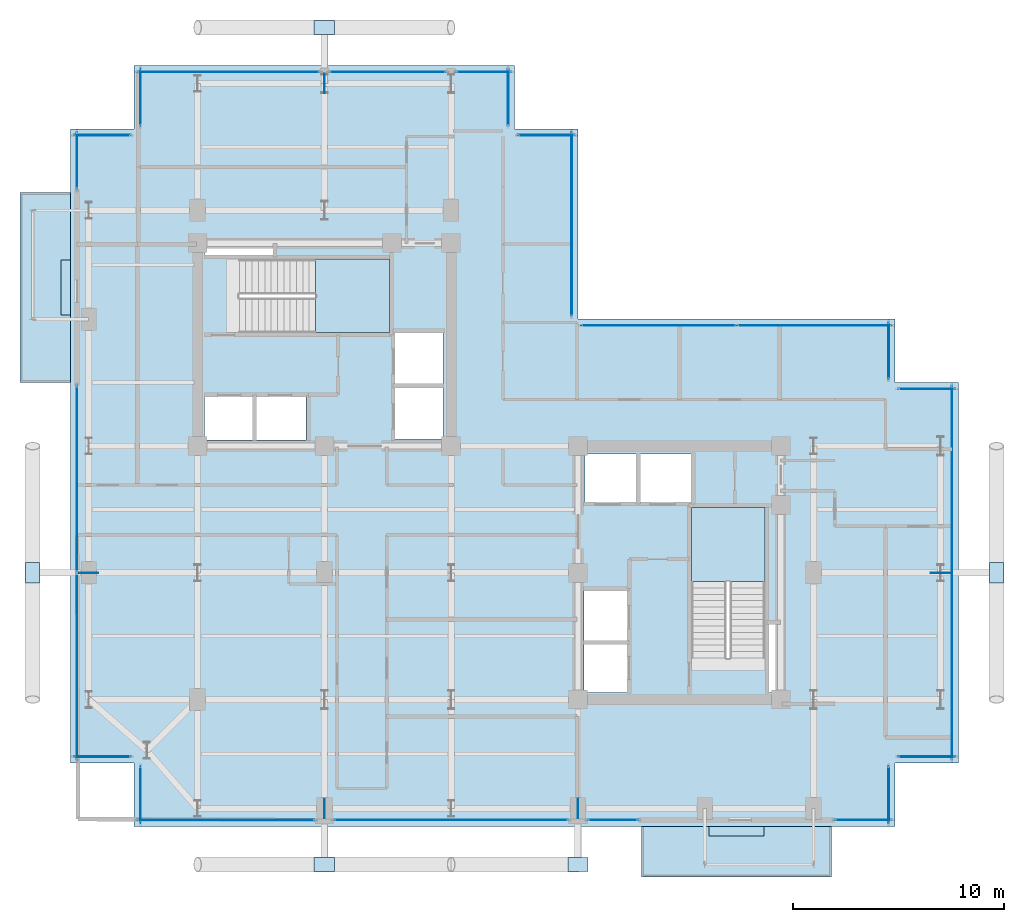
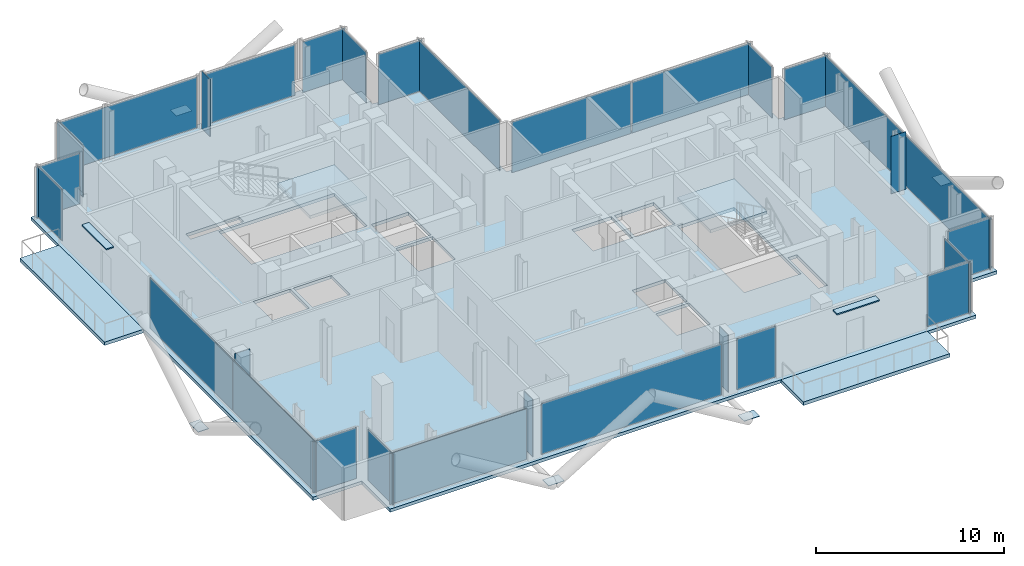
# One storey, part 16 of 25: 36 plates, 5 slabs, 24 elements without a shape of their own.
"""IFC4 building model written with IfcOpenShell, lengths in metres."""

from ifc_helpers import new_model, si_unit, direction, frame, origin, origin_2d, place, context, subcontext, project, spatial, polyline, rectangle, outline, extrude, material, layer, layer_set, type_object, element, aggregate, save


model = new_model("IFC4")

# Units and contexts
model_context = context("Model", 3, precision=1e-05, world=origin(), true_north=direction((0.0, 1.0)))
body_context = subcontext(model_context, "Body", "Model", "MODEL_VIEW")
ifc_project = project(units=[si_unit("LENGTHUNIT", "METRE"), si_unit("AREAUNIT", "SQUARE_METRE"), si_unit("VOLUMEUNIT", "CUBIC_METRE"), si_unit("PLANEANGLEUNIT", "RADIAN"), si_unit("MASSUNIT", "GRAM", prefix="KILO"), si_unit("THERMODYNAMICTEMPERATUREUNIT", "KELVIN"), si_unit("POWERUNIT", "WATT")], contexts=[model_context])

# Site, building, storey
site_placement = place(None, origin())
site = spatial("IfcSite", under=ifc_project, at=site_placement, CompositionType="ELEMENT")
building_placement = place(site_placement, origin())
building = spatial("IfcBuilding", under=site, at=building_placement, Name="Svarakhadi Broadcast Tower", CompositionType="ELEMENT")
storey_placement = place(building_placement, frame((0.0, 0.0, 231.14990234375)))
storey = spatial("IfcBuildingStorey", under=building, at=storey_placement, Name="L57", CompositionType="ELEMENT", Elevation=231.14990234375)

# Curtain wall, plate
ifc_material_1 = material(Name="Anodised Bronze Aluminium AA 6063-T6", Category="aluminium")
ifc_layer_1 = layer(ifc_material_1, 0.18994140625)
ifc_layer_set_1 = layer_set([ifc_layer_1], Name="Anodised Bronze Aluminium AA 6063-T6")
curtain_wall_type = type_object("IfcCurtainWallType", Name="CW_Sys_04", PredefinedType="NOTDEFINED", material=ifc_layer_set_1)
curtain_wall_1_placement = place(storey_placement, origin())
curtain_wall_1 = element("IfcCurtainWall", 1, at=curtain_wall_1_placement, inside=storey, type_object=curtain_wall_type, Name="L57 Unitised Facade Curtain Wall 01", PredefinedType="NOTDEFINED")
ifc_material_2 = material(Name="Double Low-E Laminated Acoustic Glass IGU 36 mm", Category="glass")
ifc_layer_2 = layer(ifc_material_2, 0.033935546875)
ifc_layer_set_2 = layer_set([ifc_layer_2], Name="Double Low-E Laminated Acoustic Glass IGU 36 mm")
plate_type_1 = type_object("IfcPlateType", Name="CW_Sys_04_Pnl", PredefinedType="CURTAIN_PANEL", material=ifc_layer_set_2)
plate_1_placement = place(storey_placement, frame((1.5, 3.300048828125, 0.065185546875), z_axis=(0.0, 0.0, 1.0), x_axis=(-1.0, 0.0, 0.0)))
plate_1 = element("IfcPlate", 2, at=plate_1_placement, type_object=plate_type_1, Name="CW-04 panel 1.1", PredefinedType="CURTAIN_PANEL", context=body_context, shape_type="SweptSolid", body=[
    extrude(rectangle(XDim=2.679931640625, YDim=0.033935546875, at=origin_2d()), origin(), (0.0, 0.0, 1.0), 3.294921875),
])
aggregate(curtain_wall_1, [plate_1])

# Curtain wall, plates
curtain_wall_2_placement = place(storey_placement, origin())
curtain_wall_2 = element("IfcCurtainWall", 3, at=curtain_wall_2_placement, inside=storey, type_object=curtain_wall_type, Name="L57 West Curtain Wall 02", PredefinedType="NOTDEFINED")
plate_2_placement = place(storey_placement, frame((0.300048828125, 7.5625, 0.065185546875), z_axis=(0.0, 0.0, 1.0), x_axis=(0.0, 1.0, 0.0)))
plate_2 = element("IfcPlate", 4, at=plate_2_placement, type_object=plate_type_1, Name="CW-04 panel 1.1", PredefinedType="CURTAIN_PANEL", context=body_context, shape_type="SweptSolid", body=[
    extrude(rectangle(XDim=8.804931640625, YDim=0.033935546875, at=origin_2d()), origin(), (0.0, 0.0, 1.0), 3.294921875),
])
plate_3_placement = place(storey_placement, frame((0.300048828125, 16.4375, 0.065185546875), z_axis=(0.0, 0.0, 1.0), x_axis=(0.0, 1.0, 0.0)))
plate_3 = element("IfcPlate", 5, at=plate_3_placement, type_object=plate_type_1, Name="CW-04 panel 2.1", PredefinedType="CURTAIN_PANEL", context=body_context, shape_type="SweptSolid", body=[
    extrude(rectangle(XDim=8.804931640625, YDim=0.033935546875, at=origin_2d()), origin(), (0.0, 0.0, 1.0), 3.294921875),
])
aggregate(curtain_wall_2, [plate_2, plate_3])

# Curtain wall, plate
curtain_wall_3_placement = place(storey_placement, origin())
curtain_wall_3 = element("IfcCurtainWall", 6, at=curtain_wall_3_placement, inside=storey, type_object=curtain_wall_type, Name="L57 West Curtain Wall 03", PredefinedType="NOTDEFINED")
plate_4_placement = place(storey_placement, frame((0.300048828125, 31.5, 0.065185546875), z_axis=(0.0, 0.0, 1.0), x_axis=(0.0, 1.0, 0.0)))
plate_4 = element("IfcPlate", 7, at=plate_4_placement, type_object=plate_type_1, Name="CW-04 panel 1.1", PredefinedType="CURTAIN_PANEL", context=body_context, shape_type="SweptSolid", body=[
    extrude(rectangle(XDim=2.679931640625, YDim=0.033935546875, at=origin_2d()), origin(), (0.0, 0.0, 1.0), 3.294921875),
])
aggregate(curtain_wall_3, [plate_4])

curtain_wall_4_placement = place(storey_placement, origin())
curtain_wall_4 = element("IfcCurtainWall", 8, at=curtain_wall_4_placement, inside=storey, type_object=curtain_wall_type, Name="L57 Unitised Facade Curtain Wall 04", PredefinedType="NOTDEFINED")
plate_5_placement = place(storey_placement, frame((1.5, 32.699951171875, 0.065185546875), z_axis=(0.0, 0.0, 1.0), x_axis=(1.0, 0.0, 0.0)))
plate_5 = element("IfcPlate", 9, at=plate_5_placement, type_object=plate_type_1, Name="CW-04 panel 1.1", PredefinedType="CURTAIN_PANEL", context=body_context, shape_type="SweptSolid", body=[
    extrude(rectangle(XDim=2.679931640625, YDim=0.033935546875, at=origin_2d()), origin(), (0.0, 0.0, 1.0), 3.294921875),
])
aggregate(curtain_wall_4, [plate_5])

curtain_wall_5_placement = place(storey_placement, origin())
curtain_wall_5 = element("IfcCurtainWall", 10, at=curtain_wall_5_placement, inside=storey, type_object=curtain_wall_type, Name="L57 Unitised Facade Curtain Wall 05", PredefinedType="NOTDEFINED")
plate_6_placement = place(storey_placement, frame((3.300048828125, 34.5, 0.065185546875), z_axis=(0.0, 0.0, 1.0), x_axis=(0.0, 1.0, 0.0)))
plate_6 = element("IfcPlate", 11, at=plate_6_placement, type_object=plate_type_1, Name="CW-04 panel 1.1", PredefinedType="CURTAIN_PANEL", context=body_context, shape_type="SweptSolid", body=[
    extrude(rectangle(XDim=2.679931640625, YDim=0.033935546875, at=origin_2d()), origin(), (0.0, 0.0, 1.0), 3.294921875),
])
aggregate(curtain_wall_5, [plate_6])

curtain_wall_6_placement = place(storey_placement, origin())
curtain_wall_6 = element("IfcCurtainWall", 12, at=curtain_wall_6_placement, inside=storey, type_object=curtain_wall_type, Name="L57 Unitised Facade Curtain Wall 06 Bay 1", PredefinedType="NOTDEFINED")
plate_7_placement = place(storey_placement, frame((7.4599609375, 35.699951171875, 0.065185546875), z_axis=(0.0, 0.0, 1.0), x_axis=(1.0, 0.0, 0.0)))
plate_7 = element("IfcPlate", 13, at=plate_7_placement, type_object=plate_type_1, Name="CW-04 panel 1.1", PredefinedType="CURTAIN_PANEL", context=body_context, shape_type="SweptSolid", body=[
    extrude(rectangle(XDim=8.60009765625, YDim=0.033935546875, at=origin_2d()), origin(), (0.0, 0.0, 1.0), 3.294921875),
])
aggregate(curtain_wall_6, [plate_7])

curtain_wall_7_placement = place(storey_placement, origin())
curtain_wall_7 = element("IfcCurtainWall", 14, at=curtain_wall_7_placement, inside=storey, type_object=curtain_wall_type, Name="L57 Unitised Facade Curtain Wall 06 Bay 2", PredefinedType="NOTDEFINED")
plate_8_placement = place(storey_placement, frame((15.0, 35.699951171875, 0.065185546875), z_axis=(0.0, 0.0, 1.0), x_axis=(1.0, 0.0, 0.0)))
plate_8 = element("IfcPlate", 15, at=plate_8_placement, type_object=plate_type_1, Name="CW-04 panel 1.1", PredefinedType="CURTAIN_PANEL", context=body_context, shape_type="SweptSolid", body=[
    extrude(rectangle(XDim=5.52001953125, YDim=0.033935546875, at=origin_2d()), origin(), (0.0, 0.0, 1.0), 3.294921875),
])
aggregate(curtain_wall_7, [plate_8])

curtain_wall_8_placement = place(storey_placement, origin())
curtain_wall_8 = element("IfcCurtainWall", 16, at=curtain_wall_8_placement, inside=storey, type_object=curtain_wall_type, Name="L57 Unitised Facade Curtain Wall 06 Bay 3", PredefinedType="NOTDEFINED")
plate_9_placement = place(storey_placement, frame((19.5400390625, 35.699951171875, 0.065185546875), z_axis=(0.0, 0.0, 1.0), x_axis=(1.0, 0.0, 0.0)))
plate_9 = element("IfcPlate", 17, at=plate_9_placement, type_object=plate_type_1, Name="CW-04 panel 1.1", PredefinedType="CURTAIN_PANEL", context=body_context, shape_type="SweptSolid", body=[
    extrude(rectangle(XDim=2.60009765625, YDim=0.033935546875, at=origin_2d()), origin(), (0.0, 0.0, 1.0), 3.294921875),
])
aggregate(curtain_wall_8, [plate_9])

curtain_wall_9_placement = place(storey_placement, origin())
curtain_wall_9 = element("IfcCurtainWall", 18, at=curtain_wall_9_placement, inside=storey, type_object=curtain_wall_type, Name="L57 Unitised Facade Curtain Wall 07", PredefinedType="NOTDEFINED")
plate_10_placement = place(storey_placement, frame((20.699951171875, 34.5, 0.065185546875), z_axis=(0.0, 0.0, 1.0), x_axis=(0.0, -1.0, 0.0)))
plate_10 = element("IfcPlate", 19, at=plate_10_placement, type_object=plate_type_1, Name="CW-04 panel 1.1", PredefinedType="CURTAIN_PANEL", context=body_context, shape_type="SweptSolid", body=[
    extrude(rectangle(XDim=2.679931640625, YDim=0.033935546875, at=origin_2d()), origin(), (0.0, 0.0, 1.0), 3.294921875),
])
aggregate(curtain_wall_9, [plate_10])

curtain_wall_10_placement = place(storey_placement, origin())
curtain_wall_10 = element("IfcCurtainWall", 20, at=curtain_wall_10_placement, inside=storey, type_object=curtain_wall_type, Name="L57 Unitised Facade Curtain Wall 08", PredefinedType="NOTDEFINED")
plate_11_placement = place(storey_placement, frame((22.5, 32.699951171875, 0.065185546875), z_axis=(0.0, 0.0, 1.0), x_axis=(1.0, 0.0, 0.0)))
plate_11 = element("IfcPlate", 21, at=plate_11_placement, type_object=plate_type_1, Name="CW-04 panel 1.1", PredefinedType="CURTAIN_PANEL", context=body_context, shape_type="SweptSolid", body=[
    extrude(rectangle(XDim=2.679931640625, YDim=0.033935546875, at=origin_2d()), origin(), (0.0, 0.0, 1.0), 3.294921875),
])
aggregate(curtain_wall_10, [plate_11])

curtain_wall_11_placement = place(storey_placement, origin())
curtain_wall_11 = element("IfcCurtainWall", 22, at=curtain_wall_11_placement, inside=storey, type_object=curtain_wall_type, Name="L57 Unitised Facade Curtain Wall 09", PredefinedType="NOTDEFINED")
plate_12_placement = place(storey_placement, frame((23.699951171875, 28.5, 0.065185546875), z_axis=(0.0, 0.0, 1.0), x_axis=(0.0, -1.0, 0.0)))
plate_12 = element("IfcPlate", 23, at=plate_12_placement, type_object=plate_type_1, Name="CW-04 panel 1.1", PredefinedType="CURTAIN_PANEL", context=body_context, shape_type="SweptSolid", body=[
    extrude(rectangle(XDim=8.679931640625, YDim=0.033935546875, at=origin_2d()), origin(), (0.0, 0.0, 1.0), 3.294921875),
])
aggregate(curtain_wall_11, [plate_12])

# Curtain wall, plates
curtain_wall_12_placement = place(storey_placement, origin())
curtain_wall_12 = element("IfcCurtainWall", 24, at=curtain_wall_12_placement, inside=storey, type_object=curtain_wall_type, Name="L57 Unitised Facade Curtain Wall 10", PredefinedType="NOTDEFINED")
plate_13_placement = place(storey_placement, frame((27.8125, 23.699951171875, 0.065185546875), z_axis=(0.0, 0.0, 1.0), x_axis=(1.0, 0.0, 0.0)))
plate_13 = element("IfcPlate", 25, at=plate_13_placement, type_object=plate_type_1, Name="CW-04 panel 1.1", PredefinedType="CURTAIN_PANEL", context=body_context, shape_type="SweptSolid", body=[
    extrude(rectangle(XDim=7.304931640625, YDim=0.033935546875, at=origin_2d()), origin(), (0.0, 0.0, 1.0), 3.294921875),
])
plate_14_placement = place(storey_placement, frame((35.1875, 23.699951171875, 0.065185546875), z_axis=(0.0, 0.0, 1.0), x_axis=(1.0, 0.0, 0.0)))
plate_14 = element("IfcPlate", 26, at=plate_14_placement, type_object=plate_type_1, Name="CW-04 panel 2.1", PredefinedType="CURTAIN_PANEL", context=body_context, shape_type="SweptSolid", body=[
    extrude(rectangle(XDim=7.304931640625, YDim=0.033935546875, at=origin_2d()), origin(), (0.0, 0.0, 1.0), 3.294921875),
])
aggregate(curtain_wall_12, [plate_13, plate_14])

# Curtain wall, plate
curtain_wall_13_placement = place(storey_placement, origin())
curtain_wall_13 = element("IfcCurtainWall", 27, at=curtain_wall_13_placement, inside=storey, type_object=curtain_wall_type, Name="L57 Unitised Facade Curtain Wall 11", PredefinedType="NOTDEFINED")
plate_15_placement = place(storey_placement, frame((38.699951171875, 22.5, 0.065185546875), z_axis=(0.0, 0.0, 1.0), x_axis=(0.0, -1.0, 0.0)))
plate_15 = element("IfcPlate", 28, at=plate_15_placement, type_object=plate_type_1, Name="CW-04 panel 1.1", PredefinedType="CURTAIN_PANEL", context=body_context, shape_type="SweptSolid", body=[
    extrude(rectangle(XDim=2.679931640625, YDim=0.033935546875, at=origin_2d()), origin(), (0.0, 0.0, 1.0), 3.294921875),
])
aggregate(curtain_wall_13, [plate_15])

curtain_wall_14_placement = place(storey_placement, origin())
curtain_wall_14 = element("IfcCurtainWall", 29, at=curtain_wall_14_placement, inside=storey, type_object=curtain_wall_type, Name="L57 Unitised Facade Curtain Wall 12", PredefinedType="NOTDEFINED")
plate_16_placement = place(storey_placement, frame((40.5, 20.699951171875, 0.065185546875), z_axis=(0.0, 0.0, 1.0), x_axis=(1.0, 0.0, 0.0)))
plate_16 = element("IfcPlate", 30, at=plate_16_placement, type_object=plate_type_1, Name="CW-04 panel 1.1", PredefinedType="CURTAIN_PANEL", context=body_context, shape_type="SweptSolid", body=[
    extrude(rectangle(XDim=2.679931640625, YDim=0.033935546875, at=origin_2d()), origin(), (0.0, 0.0, 1.0), 3.294921875),
])
aggregate(curtain_wall_14, [plate_16])

curtain_wall_15_placement = place(storey_placement, origin())
curtain_wall_15 = element("IfcCurtainWall", 31, at=curtain_wall_15_placement, inside=storey, type_object=curtain_wall_type, Name="L57 Unitised Facade Curtain Wall 13", PredefinedType="NOTDEFINED")
plate_17_placement = place(storey_placement, frame((41.699951171875, 12.0, 0.065185546875), z_axis=(0.0, 0.0, 1.0), x_axis=(0.0, -1.0, 0.0)))
plate_17 = element("IfcPlate", 32, at=plate_17_placement, type_object=plate_type_1, Name="CW-04 panel 1.1", PredefinedType="CURTAIN_PANEL", context=body_context, shape_type="SweptSolid", body=[
    extrude(rectangle(XDim=17.679931640625, YDim=0.033935546875, at=origin_2d()), origin(), (0.0, 0.0, 1.0), 3.294921875),
])
aggregate(curtain_wall_15, [plate_17])

curtain_wall_16_placement = place(storey_placement, origin())
curtain_wall_16 = element("IfcCurtainWall", 33, at=curtain_wall_16_placement, inside=storey, type_object=curtain_wall_type, Name="L57 Unitised Facade Curtain Wall 14", PredefinedType="NOTDEFINED")
plate_18_placement = place(storey_placement, frame((40.5, 3.300048828125, 0.065185546875), z_axis=(0.0, 0.0, 1.0), x_axis=(-1.0, 0.0, 0.0)))
plate_18 = element("IfcPlate", 34, at=plate_18_placement, type_object=plate_type_1, Name="CW-04 panel 1.1", PredefinedType="CURTAIN_PANEL", context=body_context, shape_type="SweptSolid", body=[
    extrude(rectangle(XDim=2.679931640625, YDim=0.033935546875, at=origin_2d()), origin(), (0.0, 0.0, 1.0), 3.294921875),
])
aggregate(curtain_wall_16, [plate_18])

curtain_wall_17_placement = place(storey_placement, origin())
curtain_wall_17 = element("IfcCurtainWall", 35, at=curtain_wall_17_placement, inside=storey, type_object=curtain_wall_type, Name="L57 Unitised Facade Curtain Wall 15", PredefinedType="NOTDEFINED")
plate_19_placement = place(storey_placement, frame((38.699951171875, 1.5, 0.065185546875), z_axis=(0.0, 0.0, 1.0), x_axis=(0.0, -1.0, 0.0)))
plate_19 = element("IfcPlate", 36, at=plate_19_placement, type_object=plate_type_1, Name="CW-04 panel 1.1", PredefinedType="CURTAIN_PANEL", context=body_context, shape_type="SweptSolid", body=[
    extrude(rectangle(XDim=2.679931640625, YDim=0.033935546875, at=origin_2d()), origin(), (0.0, 0.0, 1.0), 3.294921875),
])
aggregate(curtain_wall_17, [plate_19])

curtain_wall_18_placement = place(storey_placement, origin())
curtain_wall_18 = element("IfcCurtainWall", 37, at=curtain_wall_18_placement, inside=storey, type_object=curtain_wall_type, Name="L57 South Curtain Wall 16", PredefinedType="NOTDEFINED")
plate_20_placement = place(storey_placement, frame((37.5, 0.300048828125, 0.065185546875), z_axis=(0.0, 0.0, 1.0), x_axis=(-1.0, 0.0, 0.0)))
plate_20 = element("IfcPlate", 38, at=plate_20_placement, type_object=plate_type_1, Name="CW-04 panel 1.1", PredefinedType="CURTAIN_PANEL", context=body_context, shape_type="SweptSolid", body=[
    extrude(rectangle(XDim=2.679931640625, YDim=0.033935546875, at=origin_2d()), origin(), (0.0, 0.0, 1.0), 3.294921875),
])
aggregate(curtain_wall_18, [plate_20])

curtain_wall_19_placement = place(storey_placement, origin())
curtain_wall_19 = element("IfcCurtainWall", 39, at=curtain_wall_19_placement, inside=storey, type_object=curtain_wall_type, Name="L57 South Curtain Wall 17 Bay 1", PredefinedType="NOTDEFINED")
plate_21_placement = place(storey_placement, frame((25.652587890625, 0.300048828125, 0.065185546875), z_axis=(0.0, 0.0, 1.0), x_axis=(-1.0, 0.0, 0.0)))
plate_21 = element("IfcPlate", 40, at=plate_21_placement, type_object=plate_type_1, Name="CW-04 panel 1.1", PredefinedType="CURTAIN_PANEL", context=body_context, shape_type="SweptSolid", body=[
    extrude(rectangle(XDim=2.375, YDim=0.033935546875, at=origin_2d()), origin(), (0.0, 0.0, 1.0), 3.294921875),
])
aggregate(curtain_wall_19, [plate_21])

curtain_wall_20_placement = place(storey_placement, origin())
curtain_wall_20 = element("IfcCurtainWall", 41, at=curtain_wall_20_placement, inside=storey, type_object=curtain_wall_type, Name="L57 South Curtain Wall 17 Bay 2", PredefinedType="NOTDEFINED")
plate_22_placement = place(storey_placement, frame((18.0, 0.300048828125, 0.065185546875), z_axis=(0.0, 0.0, 1.0), x_axis=(-1.0, 0.0, 0.0)))
plate_22 = element("IfcPlate", 42, at=plate_22_placement, type_object=plate_type_1, Name="CW-04 panel 1.1", PredefinedType="CURTAIN_PANEL", context=body_context, shape_type="SweptSolid", body=[
    extrude(rectangle(XDim=11.070068359375, YDim=0.033935546875, at=origin_2d()), origin(), (0.0, 0.0, 1.0), 3.294921875),
])
aggregate(curtain_wall_20, [plate_22])

curtain_wall_21_placement = place(storey_placement, origin())
curtain_wall_21 = element("IfcCurtainWall", 43, at=curtain_wall_21_placement, inside=storey, type_object=curtain_wall_type, Name="L57 South Curtain Wall 17 Bay 3", PredefinedType="NOTDEFINED")
plate_23_placement = place(storey_placement, frame((7.347412109375, 0.300048828125, 0.065185546875), z_axis=(0.0, 0.0, 1.0), x_axis=(-1.0, 0.0, 0.0)))
plate_23 = element("IfcPlate", 44, at=plate_23_placement, type_object=plate_type_1, Name="CW-04 panel 1.1", PredefinedType="CURTAIN_PANEL", context=body_context, shape_type="SweptSolid", body=[
    extrude(rectangle(XDim=8.375, YDim=0.033935546875, at=origin_2d()), origin(), (0.0, 0.0, 1.0), 3.294921875),
])
aggregate(curtain_wall_21, [plate_23])

curtain_wall_22_placement = place(storey_placement, origin())
curtain_wall_22 = element("IfcCurtainWall", 45, at=curtain_wall_22_placement, inside=storey, type_object=curtain_wall_type, Name="L57 Unitised Facade Curtain Wall 18", PredefinedType="NOTDEFINED")
plate_24_placement = place(storey_placement, frame((3.300048828125, 1.5, 0.065185546875), z_axis=(0.0, 0.0, 1.0), x_axis=(0.0, 1.0, 0.0)))
plate_24 = element("IfcPlate", 46, at=plate_24_placement, type_object=plate_type_1, Name="CW-04 panel 1.1", PredefinedType="CURTAIN_PANEL", context=body_context, shape_type="SweptSolid", body=[
    extrude(rectangle(XDim=2.679931640625, YDim=0.033935546875, at=origin_2d()), origin(), (0.0, 0.0, 1.0), 3.294921875),
])
aggregate(curtain_wall_22, [plate_24])

# Plates
ifc_material_3 = material(Name="Steel S460ML (IS 2062 E450BR)", Category="steel")
ifc_layer_3 = layer(ifc_material_3, 0.028076171875)
ifc_layer_set_3 = layer_set([ifc_layer_3], Name="Steel S460ML (IS 2062 E450BR)")
plate_type_2 = type_object("IfcPlateType", Name="Node_Gusset_N03", PredefinedType="SHEET", material=ifc_layer_set_3)
for number, where, z_axis, x_axis, name in (
    (47, (12.0, -1.800048828125, -0.2099609375), (0.0, 0.0, 1.0), (1.0, 0.0, 0.0), "L57 Exoskeleton Gusset Node Plate S01"),
    (48, (24.0, -1.800048828125, -0.2099609375), (0.0, 0.0, 1.0), (1.0, 0.0, 0.0), "L57 Exoskeleton Gusset Node Plate S02"),
    (49, (-1.800048828125, 12.0, -0.2099609375), (0.0, 0.0, 1.0), (0.0, 1.0, 0.0), "L57 Exoskeleton Gusset Node Plate W03"),
    (50, (43.800048828125, 12.0, -0.2099609375), (0.0, 0.0, 1.0), (0.0, 1.0, 0.0), "L57 Exoskeleton Gusset Node Plate E04"),
    (51, (12.0, 37.800048828125, -0.2099609375), (0.0, 0.0, 1.0), (1.0, 0.0, 0.0), "L57 Exoskeleton Gusset Node Plate N05"),
):
    element("IfcPlate", number, at=place(storey_placement, frame(where, z_axis=z_axis, x_axis=x_axis)), inside=storey, type_object=plate_type_2, Name=name, PredefinedType="SHEET", context=body_context, shape_type="SweptSolid", body=[
        extrude(rectangle(XDim=0.9599609375, YDim=0.659912109375, at=origin_2d()), origin(), (0.0, 0.0, 1.0), 0.028076171875),
    ])
ifc_layer_4 = layer(ifc_material_3, 0.02587890625)
ifc_layer_set_4 = layer_set([ifc_layer_4], Name="Steel S460ML (IS 2062 E450BR)")
plate_type_3 = type_object("IfcPlateType", Name="Node_Gusset_N07", PredefinedType="SHEET", material=ifc_layer_set_4)
for number, where, z_axis, x_axis, name in (
    (52, (12.0, 0.85009765625, -0.57177734375), (0.0, 0.0, 1.0), (0.0, 1.0, 0.0), "L57 Brace End Connection Gusset Plate N-07-E0464"),
    (53, (24.0, 0.85009765625, -0.57177734375), (0.0, 0.0, 1.0), (0.0, 1.0, 0.0), "L57 Brace End Connection Gusset Plate N-07-E0465"),
    (54, (0.85009765625, 12.0, -0.57177734375), (0.0, 0.0, 1.0), (1.0, 0.0, 0.0), "L57 Brace End Connection Gusset Plate N-07-E0466"),
    (55, (41.14990234375, 12.0, -0.57177734375), (0.0, 0.0, 1.0), (1.0, 0.0, 0.0), "L57 Brace End Connection Gusset Plate N-07-E0467"),
    (56, (12.0, 35.14990234375, -0.57177734375), (0.0, 0.0, 1.0), (0.0, 1.0, 0.0), "L57 Brace End Connection Gusset Plate N-07-E0468"),
):
    element("IfcPlate", number, at=place(storey_placement, frame(where, z_axis=z_axis, x_axis=x_axis)), inside=storey, type_object=plate_type_3, Name=name, PredefinedType="SHEET", context=body_context, shape_type="SweptSolid", body=[
        extrude(rectangle(XDim=0.919921875, YDim=0.02587890625, at=origin_2d()), origin(), (0.0, 0.0, 1.0), 4.300048828125),
    ])

# Slab
ifc_material_4 = material(Name="Concrete C40/50 (IS 456 M50)", Category="concrete")
ifc_layer_5 = layer(ifc_material_4, 0.2099609375)
ifc_layer_set_5 = layer_set([ifc_layer_5], Name="Concrete C40/50 (IS 456 M50)")
slab_type_1 = type_object("IfcSlabType", Name="Slab_Floor_210", PredefinedType="FLOOR", material=ifc_layer_set_5)
slab_1_placement = place(storey_placement, frame((0.0, 0.0, -0.2099609375)))
element("IfcSlab", 57, at=slab_1_placement, inside=storey, type_object=slab_type_1, Name="L57 Structural Floor Slab", PredefinedType="FLOOR", context=body_context, shape_type="SweptSolid", body=[
    extrude(outline(polyline([(3.0, 0.0), (39.0, 0.0), (39.0, 3.0), (42.0, 3.0), (42.0, 21.0), (39.0, 21.0), (39.0, 24.0), (24.0, 24.0), (24.0, 33.0), (21.0, 33.0), (21.0, 36.0), (3.0, 36.0), (3.0, 33.0), (0.0, 33.0), (0.0, 3.0), (3.0, 3.0), (3.0, 0.0)]), holes=[polyline([(7.97998046875, 23.360107421875), (15.080078125, 23.360107421875), (15.080078125, 26.840087890625), (7.97998046875, 26.840087890625), (7.97998046875, 23.360107421875)]), polyline([(32.840087890625, 7.97998046875), (32.840087890625, 15.080078125), (29.360107421875, 15.080078125), (29.360107421875, 7.97998046875), (32.840087890625, 7.97998046875)]), polyline([(6.340087890625, 18.2900390625), (8.610107421875, 18.2900390625), (8.610107421875, 20.330078125), (6.340087890625, 20.330078125), (6.340087890625, 18.2900390625)]), polyline([(8.7900390625, 18.2900390625), (11.1298828125, 18.2900390625), (11.1298828125, 20.330078125), (8.7900390625, 20.330078125), (8.7900390625, 18.2900390625)]), polyline([(24.2900390625, 6.340087890625), (26.330078125, 6.340087890625), (26.330078125, 8.610107421875), (24.2900390625, 8.610107421875), (24.2900390625, 6.340087890625)]), polyline([(24.2900390625, 8.7900390625), (26.330078125, 8.7900390625), (26.330078125, 11.1298828125), (24.2900390625, 11.1298828125), (24.2900390625, 8.7900390625)]), polyline([(6.340087890625, 26.989990234375), (9.610107421875, 26.989990234375), (9.610107421875, 27.530029296875), (6.340087890625, 27.530029296875), (6.340087890625, 26.989990234375)]), polyline([(32.989990234375, 6.340087890625), (33.530029296875, 6.340087890625), (33.530029296875, 9.610107421875), (32.989990234375, 9.610107421875), (32.989990234375, 6.340087890625)]), polyline([(15.340087890625, 18.340087890625), (17.610107421875, 18.340087890625), (17.610107421875, 20.760009765625), (15.340087890625, 20.760009765625), (15.340087890625, 18.340087890625)]), polyline([(15.340087890625, 20.93994140625), (17.610107421875, 20.93994140625), (17.610107421875, 23.360107421875), (15.340087890625, 23.360107421875), (15.340087890625, 20.93994140625)]), polyline([(24.340087890625, 15.340087890625), (26.760009765625, 15.340087890625), (26.760009765625, 17.610107421875), (24.340087890625, 17.610107421875), (24.340087890625, 15.340087890625)]), polyline([(26.93994140625, 15.340087890625), (29.360107421875, 15.340087890625), (29.360107421875, 17.610107421875), (26.93994140625, 17.610107421875), (26.93994140625, 15.340087890625)])]), origin(), (0.0, 0.0, 1.0), 0.2099609375),
])

# Stair, slab
stair_type = type_object("IfcStairType", Name="Stair_Exit_Core", PredefinedType="HALF_TURN_STAIR", material=ifc_material_4)
stair_1_placement = place(storey_placement, origin())
stair_1 = element("IfcStair", 58, at=stair_1_placement, inside=storey, type_object=stair_type, Name="L57 West Core Protected Exit Stair ST-01", PredefinedType="HALF_TURN_STAIR")
ifc_layer_6 = layer(ifc_material_4, 0.199951171875)
ifc_layer_set_6 = layer_set([ifc_layer_6], Name="Concrete C40/50 (IS 456 M50)")
slab_type_2 = type_object("IfcSlabType", Name="Slab_Stair_Land", PredefinedType="LANDING", material=ifc_layer_set_6)
slab_2_placement = place(storey_placement, frame((0.0, 0.0, 1.675048828125)))
slab_2 = element("IfcSlab", 59, at=slab_2_placement, type_object=slab_type_2, Name="ST-01 landing 1", PredefinedType="LANDING", context=body_context, shape_type="SweptSolid", body=[
    extrude(outline(polyline([(11.580078125, 23.360107421875), (15.080078125, 23.360107421875), (15.080078125, 26.840087890625), (11.580078125, 26.840087890625), (11.580078125, 23.360107421875)])), origin(), (0.0, 0.0, 1.0), 0.199951171875),
])
aggregate(stair_1, [slab_2])

stair_2_placement = place(storey_placement, origin())
stair_2 = element("IfcStair", 60, at=stair_2_placement, inside=storey, type_object=stair_type, Name="L57 East Core Protected Exit Stair ST-02", PredefinedType="HALF_TURN_STAIR")
slab_3_placement = place(storey_placement, frame((0.0, 0.0, 1.675048828125)))
slab_3 = element("IfcSlab", 61, at=slab_3_placement, type_object=slab_type_2, Name="ST-02 landing 1", PredefinedType="LANDING", context=body_context, shape_type="SweptSolid", body=[
    extrude(outline(polyline([(32.840087890625, 11.580078125), (32.840087890625, 15.080078125), (29.360107421875, 15.080078125), (29.360107421875, 11.580078125), (32.840087890625, 11.580078125)])), origin(), (0.0, 0.0, 1.0), 0.199951171875),
])
aggregate(stair_2, [slab_3])

# Slabs
ifc_layer_7 = layer(ifc_material_4, 0.22509765625)
ifc_layer_set_7 = layer_set([ifc_layer_7], Name="Concrete C40/50 (IS 456 M50)")
slab_type_3 = type_object("IfcSlabType", Name="Slab_TreeBalcony", PredefinedType="FLOOR", material=ifc_layer_set_7)
slab_4_placement = place(storey_placement, frame((0.0, 0.0, -0.224853515625)))
element("IfcSlab", 62, at=slab_4_placement, inside=storey, type_object=slab_type_3, Name="L57 Planted Tree Balcony Slab BAL-E", PredefinedType="FLOOR", context=body_context, shape_type="SweptSolid", body=[
    extrude(outline(polyline([(27.0, -2.39990234375), (36.0, -2.39990234375), (36.0, 0.0), (27.0, 0.0), (27.0, -2.39990234375)])), origin(), (0.0, 0.0, 1.0), 0.224853515625),
])
slab_5_placement = place(storey_placement, frame((0.0, 0.0, -0.224853515625)))
element("IfcSlab", 63, at=slab_5_placement, inside=storey, type_object=slab_type_3, Name="L57 Planted Tree Balcony Slab BAL-N", PredefinedType="FLOOR", context=body_context, shape_type="SweptSolid", body=[
    extrude(outline(polyline([(-2.39990234375, 21.0), (0.0, 21.0), (0.0, 30.0), (-2.39990234375, 30.0), (-2.39990234375, 21.0)])), origin(), (0.0, 0.0, 1.0), 0.224853515625),
])

# Plates
ifc_layer_8 = layer(ifc_material_1, 0.080078125)
ifc_layer_set_8 = layer_set([ifc_layer_8], Name="Anodised Bronze Aluminium AA 6063-T6")
plate_type_4 = type_object("IfcPlateType", Name="Sunshade_Fin_SS01", PredefinedType="USERDEFINED", material=ifc_layer_set_8)
for number, where, z_axis, x_axis, name in (
    (64, (31.5, -0.22509765625, 3.344970703125), (0.0, 0.0, 1.0), (1.0, 0.0, 0.0), "L57 South Bronze Brise-Soleil Sunshade SS-01"),
    (65, (-0.22509765625, 25.5, 3.344970703125), (0.0, 0.0, 1.0), (0.0, 1.0, 0.0), "L57 West Bronze Brise-Soleil Sunshade SS-01"),
):
    element("IfcPlate", number, at=place(storey_placement, frame(where, z_axis=z_axis, x_axis=x_axis)), inside=storey, type_object=plate_type_4, Name=name, ObjectType="SUNSHADE", PredefinedType="USERDEFINED", context=body_context, shape_type="SweptSolid", body=[
        extrude(rectangle(XDim=2.60009765625, YDim=0.449951171875, at=origin_2d()), origin(), (0.0, 0.0, 1.0), 0.080078125),
    ])

save(model, "model.ifc")
